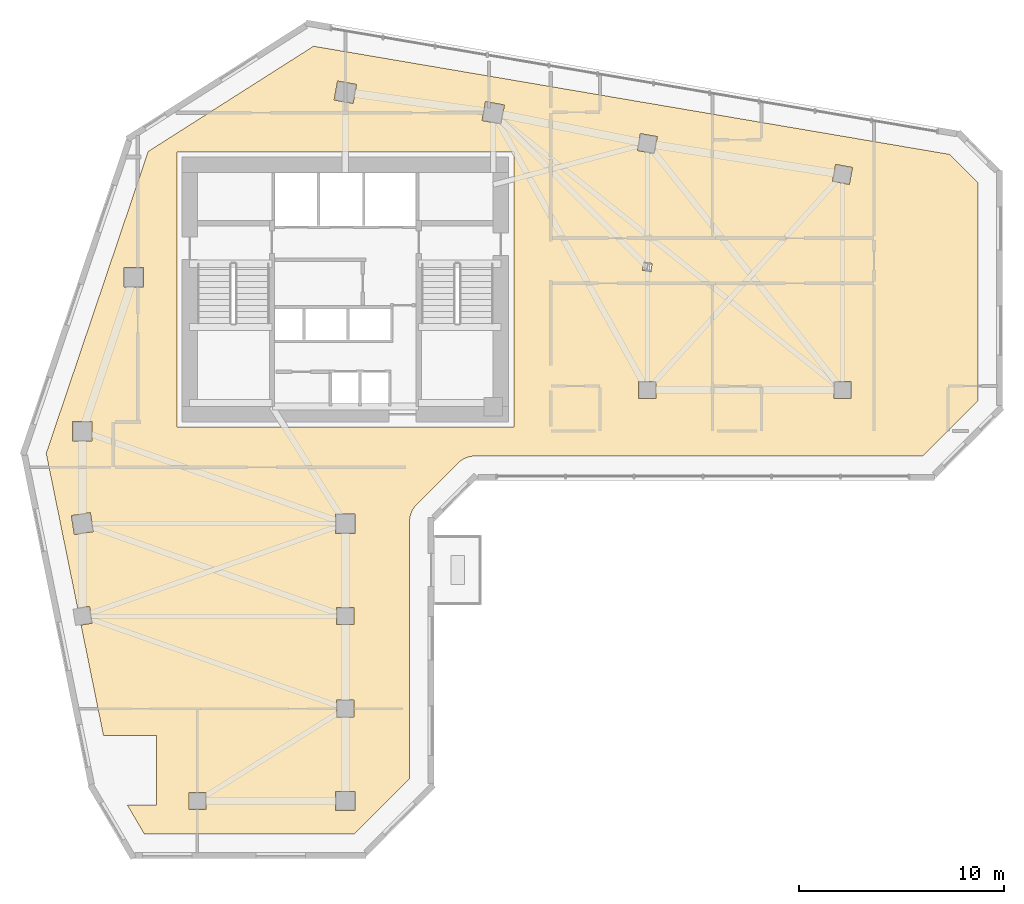
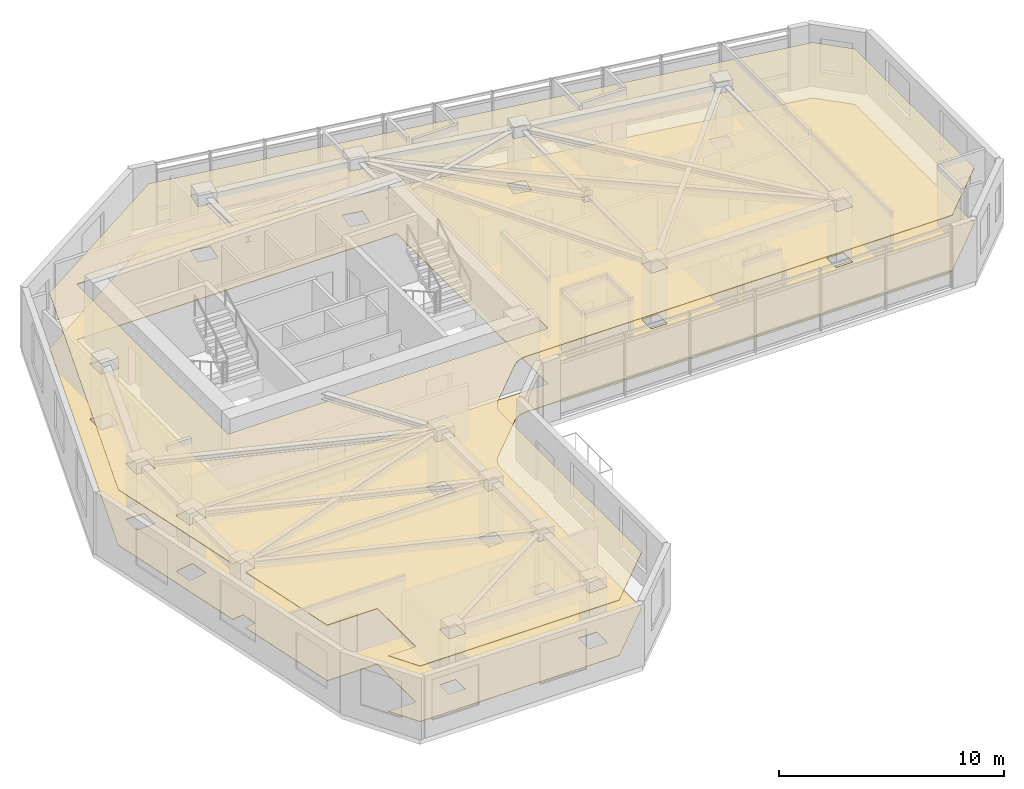
# One storey, part 9 of 10: 2 coverings.
"""IFC4 building model written with IfcOpenShell, lengths in metres."""

from ifc_helpers import new_model, si_unit, direction, frame, origin, place, context, subcontext, project, spatial, polyline, outline, extrude, material, layer, layer_set, type_object, element, save


model = new_model("IFC4")

# Units and contexts
model_context = context("Model", 3, precision=1e-05, world=origin(), true_north=direction((0.0, 1.0)))
body_context = subcontext(model_context, "Body", "Model", "MODEL_VIEW")
ifc_project = project(units=[si_unit("LENGTHUNIT", "METRE"), si_unit("AREAUNIT", "SQUARE_METRE"), si_unit("VOLUMEUNIT", "CUBIC_METRE"), si_unit("PLANEANGLEUNIT", "RADIAN"), si_unit("MASSUNIT", "GRAM", prefix="KILO")], contexts=[model_context])

# Site, building, storey
site_placement = place(None, origin())
site = spatial("IfcSite", under=ifc_project, at=site_placement, CompositionType="ELEMENT")
building_placement = place(site_placement, origin())
building = spatial("IfcBuilding", under=site, at=building_placement, Name="Calvemar Wedge Station Tower", CompositionType="ELEMENT")
storey_placement = place(building_placement, frame((0.0, 0.0, 153.800048828125)))
storey = spatial("IfcBuildingStorey", under=building, at=storey_placement, Name="L38", CompositionType="ELEMENT", Elevation=153.800048828125)

# Coverings
ifc_material_1 = material(Name="Moisture-resistant gypsum ceiling")
ifc_layer_1 = layer(ifc_material_1, 0.0400390625)
ifc_layer_set_1 = layer_set([ifc_layer_1], Name="Moisture-resistant gypsum ceiling")
covering_type_1 = type_object("IfcCoveringType", Name="COV-CEIL-GYPSUM", PredefinedType="CEILING", material=ifc_layer_set_1)
covering_1_placement = place(storey_placement, frame((0.0, 0.0, 3.0)))
element("IfcCovering", 1, at=covering_1_placement, inside=storey, type_object=covering_type_1, Name="Storey L38 Acoustic Suspended Ceiling", PredefinedType="CEILING", context=body_context, shape_type="SweptSolid", body=[
    extrude(outline(polyline([(27.279541015625, 29.4404296875), (29.279541015625, 31.4404296875), (29.36669921875, 31.51953125), (29.461181640625, 31.58984375), (29.562255859375, 31.650390625), (29.668701171875, 31.70068359375), (29.77978515625, 31.740234375), (29.893798828125, 31.768798828125), (30.010498046875, 31.7861328125), (30.1279296875, 31.7919921875), (51.90283203125, 31.7919921875), (54.60009765625, 34.489013671875), (54.60009765625, 45.094970703125), (53.221923828125, 46.47314453125), (22.25439453125, 51.739501953125), (14.201416015625, 46.614990234375), (9.240234375, 31.922119140625), (10.76904296875, 24.388427734375), (11.348388671875, 24.481201171875), (11.481201171875, 23.651611328125), (10.936279296875, 23.564453125), (12.02490234375, 18.199951171875), (14.60009765625, 18.199951171875), (14.60009765625, 14.800048828125), (13.19091796875, 14.800048828125), (14.014404296875, 13.39990234375), (24.23095703125, 13.39990234375), (26.927978515625, 16.09716796875), (26.927978515625, 28.592041015625), (26.933837890625, 28.709716796875), (26.951171875, 28.826171875), (26.979736328125, 28.940185546875), (27.019287109375, 29.05126953125), (27.069580078125, 29.15771484375), (27.130126953125, 29.2587890625), (27.200439453125, 29.353271484375), (27.279541015625, 29.4404296875)]), holes=[polyline([(15.60009765625, 46.60009765625), (32.0, 46.60009765625), (32.0, 33.199951171875), (15.60009765625, 33.199951171875), (15.60009765625, 46.60009765625)]), polyline([(10.530029296875, 32.530029296875), (10.530029296875, 33.469970703125), (11.469970703125, 33.469970703125), (11.469970703125, 32.530029296875), (10.530029296875, 32.530029296875)]), polyline([(13.030029296875, 40.969970703125), (13.969970703125, 40.969970703125), (13.969970703125, 40.030029296875), (13.030029296875, 40.030029296875), (13.030029296875, 40.969970703125)]), polyline([(24.345703125, 49.87939453125), (24.17919921875, 48.9541015625), (23.254150390625, 49.12060546875), (23.420654296875, 50.0458984375), (24.345703125, 49.87939453125)]), polyline([(31.37939453125, 47.9541015625), (30.4541015625, 48.12060546875), (30.62060546875, 49.0458984375), (31.5458984375, 48.87939453125), (31.37939453125, 47.9541015625)]), polyline([(38.01220703125, 46.660888671875), (38.160888671875, 47.48779296875), (38.98779296875, 47.339111328125), (38.839111328125, 46.51220703125), (38.01220703125, 46.660888671875)]), polyline([(47.660888671875, 45.98779296875), (48.48779296875, 45.839111328125), (48.339111328125, 45.01220703125), (47.51220703125, 45.160888671875), (47.660888671875, 45.98779296875)]), polyline([(38.919921875, 35.419921875), (38.919921875, 34.580078125), (38.080078125, 34.580078125), (38.080078125, 35.419921875), (38.919921875, 35.419921875)]), polyline([(48.419921875, 34.580078125), (47.580078125, 34.580078125), (47.580078125, 35.419921875), (48.419921875, 35.419921875), (48.419921875, 34.580078125)]), polyline([(38.259765625, 40.833984375), (38.332763671875, 41.239501953125), (38.740234375, 41.166015625), (38.667236328125, 40.760498046875), (38.259765625, 40.833984375)]), polyline([(11.389892578125, 29.038330078125), (11.538330078125, 28.110107421875), (10.610107421875, 27.961669921875), (10.461669921875, 28.889892578125), (11.389892578125, 29.038330078125)]), polyline([(24.27001953125, 28.030029296875), (23.330078125, 28.030029296875), (23.330078125, 28.969970703125), (24.27001953125, 28.969970703125), (24.27001953125, 28.030029296875)]), polyline([(23.3798828125, 23.580078125), (23.3798828125, 24.419921875), (24.219970703125, 24.419921875), (24.219970703125, 23.580078125), (23.3798828125, 23.580078125)]), polyline([(23.3798828125, 19.919921875), (24.219970703125, 19.919921875), (24.219970703125, 19.080078125), (23.3798828125, 19.080078125), (23.3798828125, 19.919921875)]), polyline([(24.27001953125, 15.469970703125), (24.27001953125, 14.530029296875), (23.330078125, 14.530029296875), (23.330078125, 15.469970703125), (24.27001953125, 15.469970703125)]), polyline([(17.02001953125, 14.580078125), (16.179931640625, 14.580078125), (16.179931640625, 15.419921875), (17.02001953125, 15.419921875), (17.02001953125, 14.580078125)])]), origin(), (0.0, 0.0, 1.0), 0.0400390625),
])
ifc_material_2 = material(Name="Honed coastal granite stone tile", Category="masonry")
ifc_layer_2 = layer(ifc_material_2, 0.030029296875)
ifc_layer_set_2 = layer_set([ifc_layer_2], Name="Honed coastal granite stone tile")
covering_type_2 = type_object("IfcCoveringType", Name="COV-FLR-STONE", PredefinedType="FLOORING", material=ifc_layer_set_2)
covering_2_placement = place(storey_placement, origin())
element("IfcCovering", 2, at=covering_2_placement, inside=storey, type_object=covering_type_2, Name="Storey L38 Architectural Floor Finish", PredefinedType="FLOORING", context=body_context, shape_type="SweptSolid", body=[
    extrude(outline(polyline([(27.279541015625, 29.4404296875), (29.279541015625, 31.4404296875), (29.36669921875, 31.51953125), (29.461181640625, 31.58984375), (29.562255859375, 31.650390625), (29.668701171875, 31.70068359375), (29.77978515625, 31.740234375), (29.893798828125, 31.768798828125), (30.010498046875, 31.7861328125), (30.1279296875, 31.7919921875), (51.90283203125, 31.7919921875), (54.60009765625, 34.489013671875), (54.60009765625, 45.094970703125), (53.221923828125, 46.47314453125), (22.25439453125, 51.739501953125), (14.201416015625, 46.614990234375), (9.240234375, 31.922119140625), (10.76904296875, 24.388427734375), (11.348388671875, 24.481201171875), (11.481201171875, 23.651611328125), (10.936279296875, 23.564453125), (12.02490234375, 18.199951171875), (14.60009765625, 18.199951171875), (14.60009765625, 14.800048828125), (13.19091796875, 14.800048828125), (14.014404296875, 13.39990234375), (24.23095703125, 13.39990234375), (26.927978515625, 16.09716796875), (26.927978515625, 28.592041015625), (26.933837890625, 28.709716796875), (26.951171875, 28.826171875), (26.979736328125, 28.940185546875), (27.019287109375, 29.05126953125), (27.069580078125, 29.15771484375), (27.130126953125, 29.2587890625), (27.200439453125, 29.353271484375), (27.279541015625, 29.4404296875)]), holes=[polyline([(15.60009765625, 46.60009765625), (32.0, 46.60009765625), (32.0, 33.199951171875), (15.60009765625, 33.199951171875), (15.60009765625, 46.60009765625)]), polyline([(10.530029296875, 32.530029296875), (10.530029296875, 33.469970703125), (11.469970703125, 33.469970703125), (11.469970703125, 32.530029296875), (10.530029296875, 32.530029296875)]), polyline([(13.030029296875, 40.969970703125), (13.969970703125, 40.969970703125), (13.969970703125, 40.030029296875), (13.030029296875, 40.030029296875), (13.030029296875, 40.969970703125)]), polyline([(24.345703125, 49.87939453125), (24.17919921875, 48.9541015625), (23.254150390625, 49.12060546875), (23.420654296875, 50.0458984375), (24.345703125, 49.87939453125)]), polyline([(31.37939453125, 47.9541015625), (30.4541015625, 48.12060546875), (30.62060546875, 49.0458984375), (31.5458984375, 48.87939453125), (31.37939453125, 47.9541015625)]), polyline([(38.01220703125, 46.660888671875), (38.160888671875, 47.48779296875), (38.98779296875, 47.339111328125), (38.839111328125, 46.51220703125), (38.01220703125, 46.660888671875)]), polyline([(47.660888671875, 45.98779296875), (48.48779296875, 45.839111328125), (48.339111328125, 45.01220703125), (47.51220703125, 45.160888671875), (47.660888671875, 45.98779296875)]), polyline([(38.919921875, 35.419921875), (38.919921875, 34.580078125), (38.080078125, 34.580078125), (38.080078125, 35.419921875), (38.919921875, 35.419921875)]), polyline([(48.419921875, 34.580078125), (47.580078125, 34.580078125), (47.580078125, 35.419921875), (48.419921875, 35.419921875), (48.419921875, 34.580078125)]), polyline([(38.259765625, 40.833984375), (38.332763671875, 41.239501953125), (38.740234375, 41.166015625), (38.667236328125, 40.760498046875), (38.259765625, 40.833984375)]), polyline([(11.389892578125, 29.038330078125), (11.538330078125, 28.110107421875), (10.610107421875, 27.961669921875), (10.461669921875, 28.889892578125), (11.389892578125, 29.038330078125)]), polyline([(24.27001953125, 28.030029296875), (23.330078125, 28.030029296875), (23.330078125, 28.969970703125), (24.27001953125, 28.969970703125), (24.27001953125, 28.030029296875)]), polyline([(23.3798828125, 23.580078125), (23.3798828125, 24.419921875), (24.219970703125, 24.419921875), (24.219970703125, 23.580078125), (23.3798828125, 23.580078125)]), polyline([(23.3798828125, 19.919921875), (24.219970703125, 19.919921875), (24.219970703125, 19.080078125), (23.3798828125, 19.080078125), (23.3798828125, 19.919921875)]), polyline([(24.27001953125, 15.469970703125), (24.27001953125, 14.530029296875), (23.330078125, 14.530029296875), (23.330078125, 15.469970703125), (24.27001953125, 15.469970703125)]), polyline([(17.02001953125, 14.580078125), (16.179931640625, 14.580078125), (16.179931640625, 15.419921875), (17.02001953125, 15.419921875), (17.02001953125, 14.580078125)])]), origin(), (0.0, 0.0, 1.0), 0.030029296875),
])

save(model, "model.ifc")
